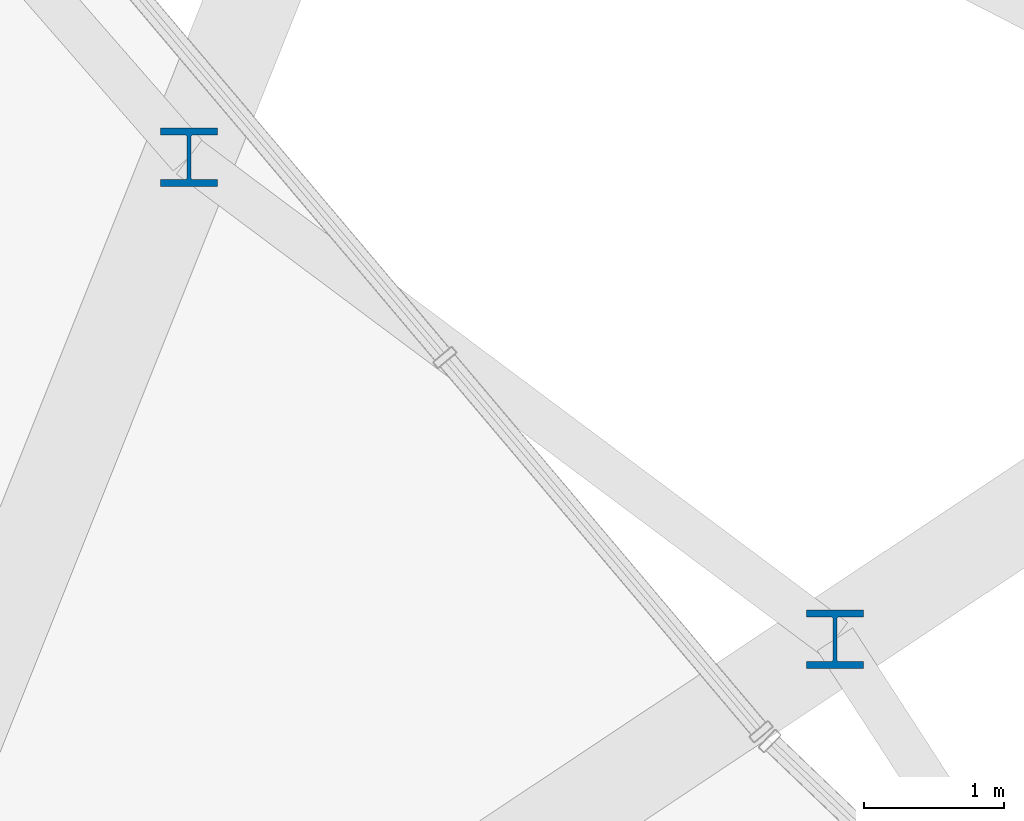
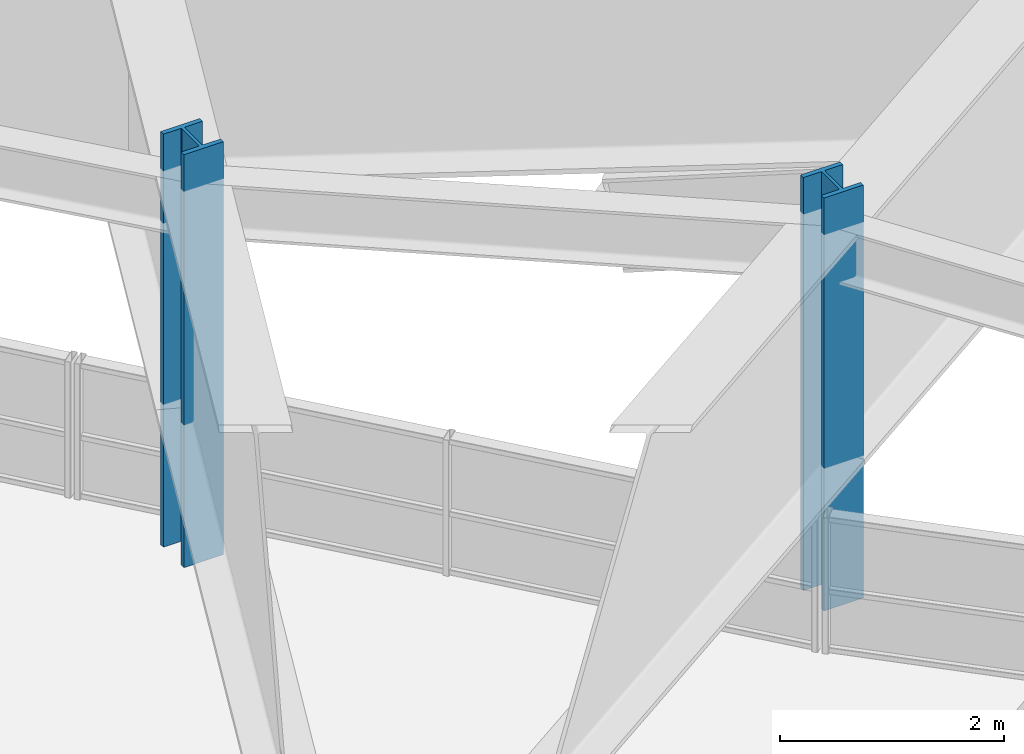
# One storey, part 4 of 52: 2 columns.
"""IFC4 building model written with IfcOpenShell, lengths in metres."""

from ifc_helpers import new_model, si_unit, direction, frame, origin, origin_2d, place, context, subcontext, project, spatial, i_section, extrude, material, material_profile, profile_set, type_object, element, save


model = new_model("IFC4")

# Units and contexts
model_context = context("Model", 3, precision=1e-05, world=origin(), true_north=direction((0.0, 1.0)))
body_context = subcontext(model_context, "Body", "Model", "MODEL_VIEW")
ifc_project = project(units=[si_unit("LENGTHUNIT", "METRE"), si_unit("AREAUNIT", "SQUARE_METRE"), si_unit("VOLUMEUNIT", "CUBIC_METRE"), si_unit("PLANEANGLEUNIT", "RADIAN"), si_unit("MASSUNIT", "GRAM", prefix="KILO")], contexts=[model_context])

# Site, building, storey
site_placement = place(None, origin())
site = spatial("IfcSite", under=ifc_project, at=site_placement, CompositionType="ELEMENT")
building_placement = place(site_placement, origin())
building = spatial("IfcBuilding", under=site, at=building_placement, Name="Kelanora Arch Commons", CompositionType="ELEMENT")
storey_placement = place(building_placement, frame((0.0, 0.0, 13.5)))
storey = spatial("IfcBuildingStorey", under=building, at=storey_placement, Name="L03", CompositionType="ELEMENT", Elevation=13.5)

# Columns
ifc_material = material(Name="Steel S355", Category="steel")
ifc_material_profile = material_profile(ifc_material, i_section(OverallWidth=0.406005859375, OverallDepth=0.416015625, WebThickness=0.029052734375, FlangeThickness=0.048095703125, FilletRadius=0.014892578125, at=origin_2d()), Name="HD400x382")
ifc_profile_set = profile_set([ifc_material_profile], Name="Steel S355")
column_type = type_object("IfcColumnType", Name="COL-PORCH", PredefinedType="COLUMN", material=ifc_profile_set)
for number, where, z_axis, x_axis, name in (
    (1, (90.156494140625, 70.426025390625, 0.0), (0.0, 0.0, 1.0), (1.0, 0.0, 0.0), "Recessed Arch Portal Column CAP-04 L03"),
    (2, (85.545654296875, 73.866455078125, 0.0), (0.0, 0.0, 1.0), (1.0, 0.0, 0.0), "Recessed Arch Portal Column CAP-06 L03"),
):
    element("IfcColumn", number, at=place(storey_placement, frame(where, z_axis=z_axis, x_axis=x_axis)), inside=storey, type_object=column_type, Name=name, PredefinedType="COLUMN", context=body_context, shape_type="SweptSolid", body=[
        extrude(i_section(OverallWidth=0.406005859375, OverallDepth=0.416015625, WebThickness=0.029052734375, FlangeThickness=0.048095703125, FilletRadius=0.014892578125, at=origin_2d()), origin(), (0.0, 0.0, 1.0), 4.5),
    ])

save(model, "model.ifc")
